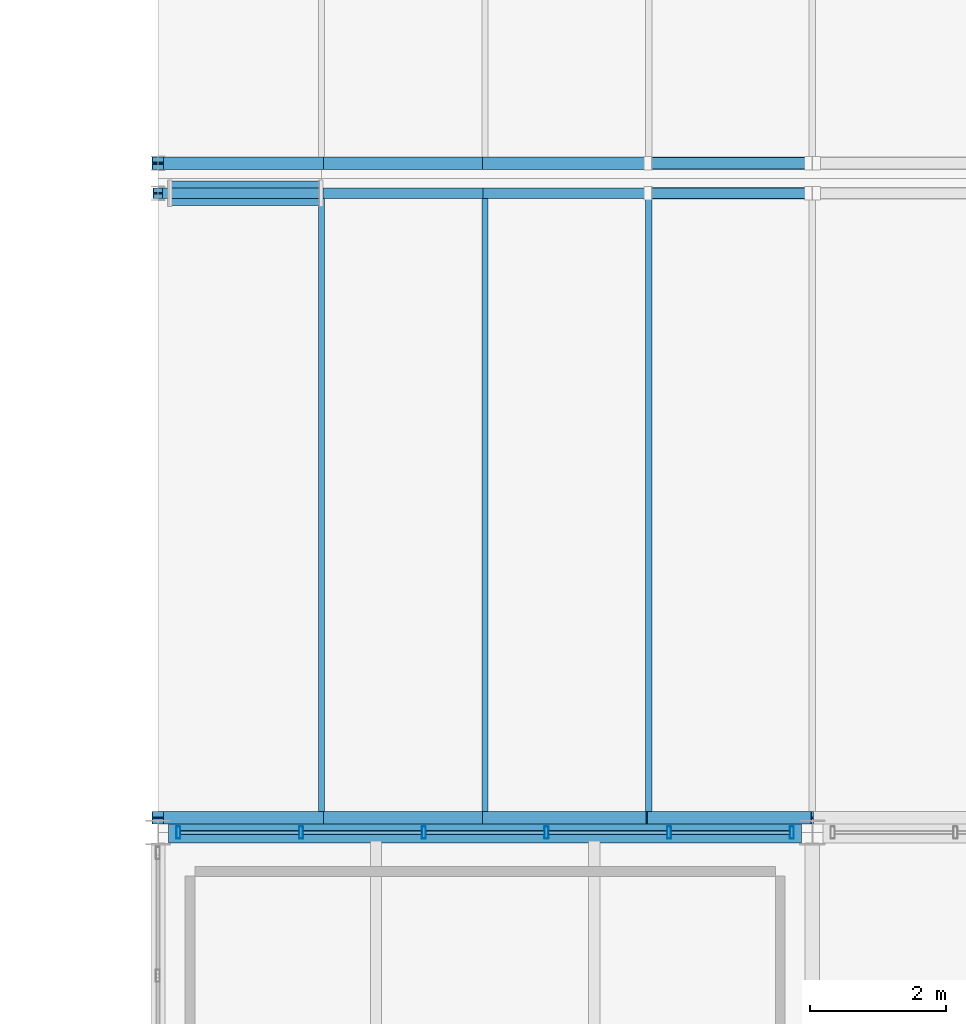
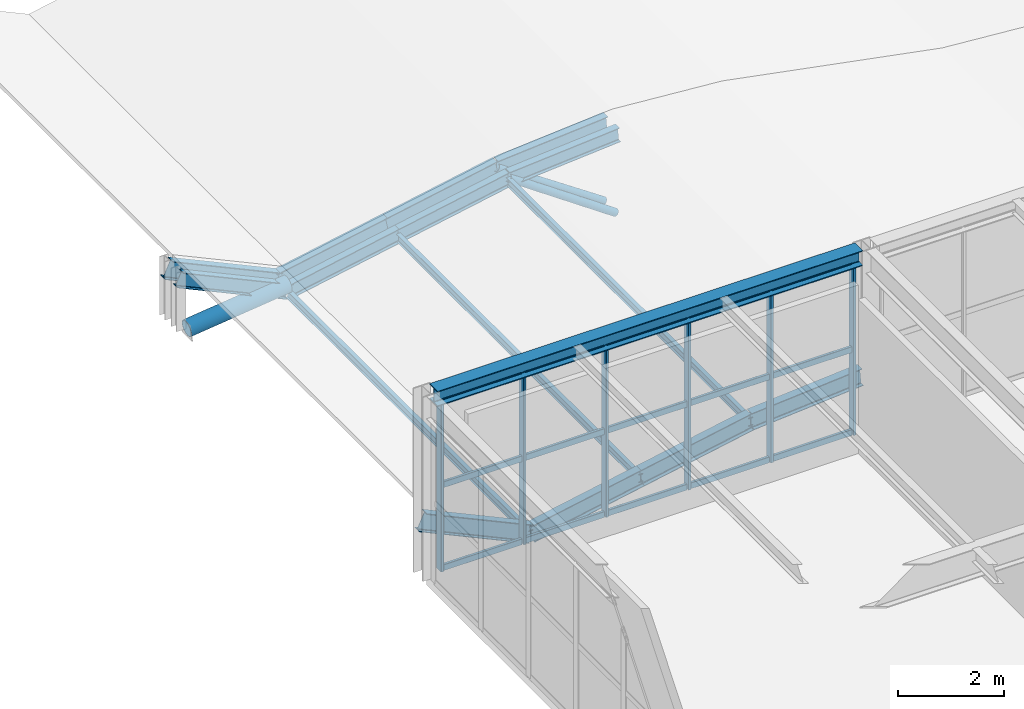
# One storey, part 89 of 170: 27 members, 13 beams, 1 element without a shape of its own.
"""IFC4 building model written with IfcOpenShell, lengths in metres."""

from ifc_helpers import new_model, si_unit, direction, frame, origin, origin_2d, place, context, subcontext, project, spatial, hollow_rectangle, hollow_circle, i_section, extrude, material, material_profile, profile_set, type_object, element, aggregate, save


model = new_model("IFC4")

# Units and contexts
model_context = context("Model", 3, precision=1e-05, world=origin(), true_north=direction((0.0, 1.0)))
body_context = subcontext(model_context, "Body", "Model", "MODEL_VIEW")
ifc_project = project(units=[si_unit("LENGTHUNIT", "METRE"), si_unit("AREAUNIT", "SQUARE_METRE"), si_unit("VOLUMEUNIT", "CUBIC_METRE"), si_unit("PLANEANGLEUNIT", "RADIAN"), si_unit("MASSUNIT", "GRAM", prefix="KILO")], contexts=[model_context])

# Site, building, storey
site_placement = place(None, origin())
site = spatial("IfcSite", under=ifc_project, at=site_placement, CompositionType="ELEMENT")
building_placement = place(site_placement, origin())
building = spatial("IfcBuilding", under=site, at=building_placement, Name="Coralgate Yard Interchange", CompositionType="ELEMENT")
storey_placement = place(building_placement, frame((0.0, 0.0, 6.0)))
storey = spatial("IfcBuildingStorey", under=building, at=storey_placement, Name="L01", CompositionType="ELEMENT", Elevation=6.0)

# Beams
ifc_material_1 = material(Name="Structural steel S355J2", Category="steel")
ifc_material_profile_1 = material_profile(ifc_material_1, i_section(OverallWidth=0.300048828125, OverallDepth=0.35009765625, WebThickness=0.010009765625, FlangeThickness=0.017578125, FilletRadius=0.027099609375, at=origin_2d()), Name="HEA 360")
ifc_profile_set_1 = profile_set([ifc_material_profile_1], Name="Structural steel S355J2")
beam_type_1 = type_object("IfcBeamType", Name="BM-SP-1", PredefinedType="SPANDREL", material=ifc_profile_set_1)
beam_1_placement = place(storey_placement, frame((38.556396484375, 96.0, 4.074951171875), z_axis=(1.0, 0.0, 0.0), x_axis=(0.0, 1.0, 0.0)))
element("IfcBeam", 1, at=beam_1_placement, inside=storey, type_object=beam_type_1, Name="L01 primary grid beam Y10 X4-5", PredefinedType="SPANDREL", context=body_context, shape_type="SweptSolid", body=[
    extrude(i_section(OverallWidth=0.300048828125, OverallDepth=0.35009765625, WebThickness=0.010009765625, FlangeThickness=0.017578125, FilletRadius=0.027099609375, at=origin_2d()), origin(), (0.0, 0.0, 1.0), 9.287353515625),
])
ifc_material_2 = material(Name="Off-white architectural structural steel S355J2", Category="steel")
ifc_material_profile_2 = material_profile(ifc_material_2, i_section(OverallWidth=0.179931640625, OverallDepth=0.39990234375, WebThickness=0.008544921875, FlangeThickness=0.013427734375, FilletRadius=0.02099609375, at=origin_2d()), Name="IPE 400")
ifc_profile_set_2 = profile_set([ifc_material_profile_2], Name="Off-white architectural structural steel S355J2")
beam_type_2 = type_object("IfcBeamType", Name="BM-WR-1", PredefinedType="BEAM", material=ifc_profile_set_2)
beam_2_placement = place(storey_placement, frame((38.39990234375, 96.219970703125, 1.10009765625), z_axis=(0.907691669013, 0.0, -0.419637741396), x_axis=(0.0, 1.0, 0.0)))
element("IfcBeam", 2, at=beam_2_placement, inside=storey, type_object=beam_type_2, Name="Wave-shell steel arch rib R1-W1-S1", PredefinedType="BEAM", context=body_context, shape_type="SweptSolid", body=[
    extrude(i_section(OverallWidth=0.179931640625, OverallDepth=0.39990234375, WebThickness=0.008544921875, FlangeThickness=0.013427734375, FilletRadius=0.02099609375, at=origin_2d()), origin(), (0.0, 0.0, 1.0), 2.644287109375),
])
beam_3_placement = place(storey_placement, frame((40.800048828125, 96.219970703125, -0.009521484375), z_axis=(0.98216147419, 0.0, 0.188039460267), x_axis=(0.0, 1.0, 0.0)))
element("IfcBeam", 3, at=beam_3_placement, inside=storey, type_object=beam_type_2, Name="Wave-shell steel arch rib R1-W1-S2", PredefinedType="BEAM", context=body_context, shape_type="SweptSolid", body=[
    extrude(i_section(OverallWidth=0.179931640625, OverallDepth=0.39990234375, WebThickness=0.008544921875, FlangeThickness=0.013427734375, FilletRadius=0.02099609375, at=origin_2d()), origin(), (0.0, 0.0, 1.0), 2.443603515625),
])
beam_4_placement = place(storey_placement, frame((43.199951171875, 96.219970703125, 0.449951171875), z_axis=(0.982146552954, 0.0, 0.188117379637), x_axis=(0.0, 1.0, 0.0)))
element("IfcBeam", 4, at=beam_4_placement, inside=storey, type_object=beam_type_2, Name="Wave-shell steel arch rib R1-W1-S3", PredefinedType="BEAM", context=body_context, shape_type="SweptSolid", body=[
    extrude(i_section(OverallWidth=0.179931640625, OverallDepth=0.39990234375, WebThickness=0.008544921875, FlangeThickness=0.013427734375, FilletRadius=0.02099609375, at=origin_2d()), origin(), (0.0, 0.0, 1.0), 2.44384765625),
])
beam_5_placement = place(storey_placement, frame((45.60009765625, 96.219970703125, 0.90966796875), z_axis=(0.996866661985, 0.0, 0.079100304817), x_axis=(0.0, 1.0, 0.0)))
element("IfcBeam", 5, at=beam_5_placement, inside=storey, type_object=beam_type_2, Name="Wave-shell steel arch rib R1-W1-S4", PredefinedType="BEAM", context=body_context, shape_type="SweptSolid", body=[
    extrude(i_section(OverallWidth=0.179931640625, OverallDepth=0.39990234375, WebThickness=0.008544921875, FlangeThickness=0.013427734375, FilletRadius=0.02099609375, at=origin_2d()), origin(), (0.0, 0.0, 1.0), 2.407470703125),
])
beam_6_placement = place(storey_placement, frame((38.39990234375, 105.820068359375, 1.10009765625), z_axis=(0.907691669013, 0.0, -0.419637741396), x_axis=(0.0, 1.0, 0.0)))
element("IfcBeam", 6, at=beam_6_placement, inside=storey, type_object=beam_type_2, Name="Wave-shell steel arch rib R2-W1-S1", PredefinedType="BEAM", context=body_context, shape_type="SweptSolid", body=[
    extrude(i_section(OverallWidth=0.179931640625, OverallDepth=0.39990234375, WebThickness=0.008544921875, FlangeThickness=0.013427734375, FilletRadius=0.02099609375, at=origin_2d()), origin(), (0.0, 0.0, 1.0), 2.644287109375),
])
beam_7_placement = place(storey_placement, frame((40.800048828125, 105.820068359375, -0.009521484375), z_axis=(0.98216147419, 0.0, 0.188039460267), x_axis=(0.0, 1.0, 0.0)))
element("IfcBeam", 7, at=beam_7_placement, inside=storey, type_object=beam_type_2, Name="Wave-shell steel arch rib R2-W1-S2", PredefinedType="BEAM", context=body_context, shape_type="SweptSolid", body=[
    extrude(i_section(OverallWidth=0.179931640625, OverallDepth=0.39990234375, WebThickness=0.008544921875, FlangeThickness=0.013427734375, FilletRadius=0.02099609375, at=origin_2d()), origin(), (0.0, 0.0, 1.0), 2.443603515625),
])
beam_8_placement = place(storey_placement, frame((43.199951171875, 105.820068359375, 0.449951171875), z_axis=(0.982146552954, 0.0, 0.188117379637), x_axis=(0.0, 1.0, 0.0)))
element("IfcBeam", 8, at=beam_8_placement, inside=storey, type_object=beam_type_2, Name="Wave-shell steel arch rib R2-W1-S3", PredefinedType="BEAM", context=body_context, shape_type="SweptSolid", body=[
    extrude(i_section(OverallWidth=0.179931640625, OverallDepth=0.39990234375, WebThickness=0.008544921875, FlangeThickness=0.013427734375, FilletRadius=0.02099609375, at=origin_2d()), origin(), (0.0, 0.0, 1.0), 2.44384765625),
])
beam_9_placement = place(storey_placement, frame((45.60009765625, 105.820068359375, 0.90966796875), z_axis=(0.996866661985, 0.0, 0.079100304817), x_axis=(0.0, 1.0, 0.0)))
element("IfcBeam", 9, at=beam_9_placement, inside=storey, type_object=beam_type_2, Name="Wave-shell steel arch rib R2-W1-S4", PredefinedType="BEAM", context=body_context, shape_type="SweptSolid", body=[
    extrude(i_section(OverallWidth=0.179931640625, OverallDepth=0.39990234375, WebThickness=0.008544921875, FlangeThickness=0.013427734375, FilletRadius=0.02099609375, at=origin_2d()), origin(), (0.0, 0.0, 1.0), 2.407470703125),
])
ifc_material_profile_3 = material_profile(ifc_material_2, i_section(OverallWidth=0.159912109375, OverallDepth=0.330078125, WebThickness=0.007568359375, FlangeThickness=0.011474609375, FilletRadius=0.01806640625, at=origin_2d()), Name="IPE 330")
ifc_profile_set_3 = profile_set([ifc_material_profile_3], Name="Off-white architectural structural steel S355J2")
beam_type_3 = type_object("IfcBeamType", Name="BM-WR-2", PredefinedType="BEAM", material=ifc_profile_set_3)
beam_10_placement = place(storey_placement, frame((38.39990234375, 105.3798828125, 1.135009765625), z_axis=(0.907691669013, 0.0, -0.419637741396), x_axis=(0.0, 1.0, 0.0)))
element("IfcBeam", 10, at=beam_10_placement, inside=storey, type_object=beam_type_3, Name="Wave-shell steel arch rib R1-W1-N1", PredefinedType="BEAM", context=body_context, shape_type="SweptSolid", body=[
    extrude(i_section(OverallWidth=0.159912109375, OverallDepth=0.330078125, WebThickness=0.007568359375, FlangeThickness=0.011474609375, FilletRadius=0.01806640625, at=origin_2d()), origin(), (0.0, 0.0, 1.0), 2.644287109375),
])
beam_11_placement = place(storey_placement, frame((40.800048828125, 105.3798828125, 0.025390625), z_axis=(0.98214301705, 0.0, 0.18813583938), x_axis=(0.0, 1.0, 0.0)))
element("IfcBeam", 11, at=beam_11_placement, inside=storey, type_object=beam_type_3, Name="Wave-shell steel arch rib R1-W1-N2", PredefinedType="BEAM", context=body_context, shape_type="SweptSolid", body=[
    extrude(i_section(OverallWidth=0.159912109375, OverallDepth=0.330078125, WebThickness=0.007568359375, FlangeThickness=0.011474609375, FilletRadius=0.01806640625, at=origin_2d()), origin(), (0.0, 0.0, 1.0), 2.443603515625),
])
beam_12_placement = place(storey_placement, frame((43.199951171875, 105.3798828125, 0.485107421875), z_axis=(0.982165006537, 0.0, 0.188021009287), x_axis=(0.0, 1.0, 0.0)))
element("IfcBeam", 12, at=beam_12_placement, inside=storey, type_object=beam_type_3, Name="Wave-shell steel arch rib R1-W1-N3", PredefinedType="BEAM", context=body_context, shape_type="SweptSolid", body=[
    extrude(i_section(OverallWidth=0.159912109375, OverallDepth=0.330078125, WebThickness=0.007568359375, FlangeThickness=0.011474609375, FilletRadius=0.01806640625, at=origin_2d()), origin(), (0.0, 0.0, 1.0), 2.44384765625),
])
beam_13_placement = place(storey_placement, frame((45.60009765625, 105.3798828125, 0.944580078125), z_axis=(0.996866661985, 0.0, 0.079100304817), x_axis=(0.0, 1.0, 0.0)))
element("IfcBeam", 13, at=beam_13_placement, inside=storey, type_object=beam_type_3, Name="Wave-shell steel arch rib R1-W1-N4", PredefinedType="BEAM", context=body_context, shape_type="SweptSolid", body=[
    extrude(i_section(OverallWidth=0.159912109375, OverallDepth=0.330078125, WebThickness=0.007568359375, FlangeThickness=0.011474609375, FilletRadius=0.01806640625, at=origin_2d()), origin(), (0.0, 0.0, 1.0), 2.407470703125),
])

# Members
ifc_material_3 = material(Name="Weather-coated structural steel S355J2", Category="steel")
ifc_material_profile_4 = material_profile(ifc_material_3, hollow_circle(Radius=0.177734375, WallThickness=0.012451171875, at=origin_2d()), Name="CHS 355.6x12.5")
ifc_profile_set_4 = profile_set([ifc_material_profile_4], Name="Weather-coated structural steel S355J2")
member_type_1 = type_object("IfcMemberType", Name="MB-GC-1", PredefinedType="CHORD", material=ifc_profile_set_4)
member_1_placement = place(storey_placement, frame((38.580078125, 105.3798828125, -0.080078125), z_axis=(0.993088023617, 0.0, 0.117371961508), x_axis=(0.0, 1.0, 0.0)))
element("IfcMember", 14, at=member_1_placement, inside=storey, type_object=member_type_1, Name="Wave-canopy longitudinal tie member 1", PredefinedType="CHORD", context=body_context, shape_type="SweptSolid", body=[
    extrude(hollow_circle(Radius=0.177734375, WallThickness=0.012451171875, at=origin_2d()), origin(), (0.0, 0.0, 1.0), 2.21533203125),
])
ifc_material_4 = material(Name="Yellow-ochre weather-coated structural steel S355J2", Category="steel")
ifc_material_profile_5 = material_profile(ifc_material_4, hollow_circle(Radius=0.084228515625, WallThickness=0.008056640625, at=origin_2d()), Name="CHS 168.3x8")
ifc_profile_set_5 = profile_set([ifc_material_profile_5], Name="Yellow-ochre weather-coated structural steel S355J2")
member_type_2 = type_object("IfcMemberType", Name="MB-HG-2", PredefinedType="STRUT", material=ifc_profile_set_5)
member_2_placement = place(storey_placement, frame((47.93994140625, 105.3798828125, -0.679931640625), z_axis=(-0.821432424161, 0.0, 0.570305858761), x_axis=(0.0, -1.0, 0.0)))
element("IfcMember", 15, at=member_2_placement, inside=storey, type_object=member_type_2, Name="Wave-shell inclined V-strut WVBR-R1-W1-N-L", PredefinedType="STRUT", context=body_context, shape_type="SweptSolid", body=[
    extrude(hollow_circle(Radius=0.084228515625, WallThickness=0.008056640625, at=origin_2d()), origin(), (0.0, 0.0, 1.0), 2.848388671875),
])
member_3_placement = place(storey_placement, frame((47.93994140625, 105.820068359375, -0.679931640625), z_axis=(-0.827172031576, 0.0, 0.561948778964), x_axis=(0.0, -1.0, 0.0)))
element("IfcMember", 16, at=member_3_placement, inside=storey, type_object=member_type_2, Name="Wave-shell inclined V-strut WVBR-R2-W1-S-L", PredefinedType="STRUT", context=body_context, shape_type="SweptSolid", body=[
    extrude(hollow_circle(Radius=0.084228515625, WallThickness=0.008056640625, at=origin_2d()), origin(), (0.0, 0.0, 1.0), 2.82861328125),
])

# Curtain wall, members
ifc_material_5 = material(Name="Anodised coastal aluminium and solar-control low-E glass", Category="aluminium")
curtain_wall_type = type_object("IfcCurtainWallType", Name="CW-CW-L01-B", PredefinedType="NOTDEFINED", material=ifc_material_5)
curtain_wall_placement = place(storey_placement, origin())
curtain_wall = element("IfcCurtainWall", 17, at=curtain_wall_placement, inside=storey, type_object=curtain_wall_type, Name="L01 unitised curtain wall CW-L01-N-04-09", PredefinedType="NOTDEFINED")
ifc_material_6 = material(Name="Anodised coastal aluminium 6063-T6", Category="aluminium")
ifc_material_profile_6 = material_profile(ifc_material_6, hollow_rectangle(XDim=0.06005859375, YDim=0.179931640625, WallThickness=0.00390625, InnerFilletRadius=0.00390625, OuterFilletRadius=0.008056640625, at=origin_2d()), Name="ALU 60x180x4")
ifc_profile_set_6 = profile_set([ifc_material_profile_6], Name="Anodised coastal aluminium 6063-T6")
member_type_3 = type_object("IfcMemberType", Name="MB-MUL-180", PredefinedType="MULLION", material=ifc_profile_set_6)
member_4_placement = place(storey_placement, frame((38.699951171875, 96.0, 0.0), z_axis=(0.0, 0.0, 1.0), x_axis=(1.0, 0.0, 0.0)))
member_4 = element("IfcMember", 18, at=member_4_placement, type_object=member_type_3, Name="CW-L01-N-04-09 vertical mullion 1", PredefinedType="MULLION", context=body_context, shape_type="SweptSolid", body=[
    extrude(hollow_rectangle(XDim=0.06005859375, YDim=0.179931640625, WallThickness=0.00390625, InnerFilletRadius=0.00390625, OuterFilletRadius=0.008056640625, at=origin_2d()), origin(), (0.0, 0.0, 1.0), 3.89990234375),
])
member_5_placement = place(storey_placement, frame((40.5, 96.0, 0.0), z_axis=(0.0, 0.0, 1.0), x_axis=(1.0, 0.0, 0.0)))
member_5 = element("IfcMember", 19, at=member_5_placement, type_object=member_type_3, Name="CW-L01-N-04-09 vertical mullion 2", PredefinedType="MULLION", context=body_context, shape_type="SweptSolid", body=[
    extrude(hollow_rectangle(XDim=0.06005859375, YDim=0.179931640625, WallThickness=0.00390625, InnerFilletRadius=0.00390625, OuterFilletRadius=0.008056640625, at=origin_2d()), origin(), (0.0, 0.0, 1.0), 3.89990234375),
])
member_6_placement = place(storey_placement, frame((42.300048828125, 96.0, 0.0), z_axis=(0.0, 0.0, 1.0), x_axis=(1.0, 0.0, 0.0)))
member_6 = element("IfcMember", 20, at=member_6_placement, type_object=member_type_3, Name="CW-L01-N-04-09 vertical mullion 3", PredefinedType="MULLION", context=body_context, shape_type="SweptSolid", body=[
    extrude(hollow_rectangle(XDim=0.06005859375, YDim=0.179931640625, WallThickness=0.00390625, InnerFilletRadius=0.00390625, OuterFilletRadius=0.008056640625, at=origin_2d()), origin(), (0.0, 0.0, 1.0), 3.89990234375),
])
member_7_placement = place(storey_placement, frame((44.10009765625, 96.0, 0.0), z_axis=(0.0, 0.0, 1.0), x_axis=(1.0, 0.0, 0.0)))
member_7 = element("IfcMember", 21, at=member_7_placement, type_object=member_type_3, Name="CW-L01-N-04-09 vertical mullion 4", PredefinedType="MULLION", context=body_context, shape_type="SweptSolid", body=[
    extrude(hollow_rectangle(XDim=0.06005859375, YDim=0.179931640625, WallThickness=0.00390625, InnerFilletRadius=0.00390625, OuterFilletRadius=0.008056640625, at=origin_2d()), origin(), (0.0, 0.0, 1.0), 3.89990234375),
])
member_8_placement = place(storey_placement, frame((45.89990234375, 96.0, 0.0), z_axis=(0.0, 0.0, 1.0), x_axis=(1.0, 0.0, 0.0)))
member_8 = element("IfcMember", 22, at=member_8_placement, type_object=member_type_3, Name="CW-L01-N-04-09 vertical mullion 5", PredefinedType="MULLION", context=body_context, shape_type="SweptSolid", body=[
    extrude(hollow_rectangle(XDim=0.06005859375, YDim=0.179931640625, WallThickness=0.00390625, InnerFilletRadius=0.00390625, OuterFilletRadius=0.008056640625, at=origin_2d()), origin(), (0.0, 0.0, 1.0), 3.89990234375),
])
member_9_placement = place(storey_placement, frame((47.699951171875, 96.0, 0.0), z_axis=(0.0, 0.0, 1.0), x_axis=(1.0, 0.0, 0.0)))
member_9 = element("IfcMember", 23, at=member_9_placement, type_object=member_type_3, Name="CW-L01-N-04-09 vertical mullion 6", PredefinedType="MULLION", context=body_context, shape_type="SweptSolid", body=[
    extrude(hollow_rectangle(XDim=0.06005859375, YDim=0.179931640625, WallThickness=0.00390625, InnerFilletRadius=0.00390625, OuterFilletRadius=0.008056640625, at=origin_2d()), origin(), (0.0, 0.0, 1.0), 3.89990234375),
])

# Members
ifc_material_profile_7 = material_profile(ifc_material_2, i_section(OverallWidth=0.091064453125, OverallDepth=0.179931640625, WebThickness=0.00537109375, FlangeThickness=0.008056640625, FilletRadius=0.009033203125, at=origin_2d()), Name="IPE 180")
ifc_profile_set_7 = profile_set([ifc_material_profile_7], Name="Off-white architectural structural steel S355J2")
member_type_4 = type_object("IfcMemberType", Name="MB-PR-2", PredefinedType="PURLIN", material=ifc_profile_set_7)
for number, where, z_axis, x_axis, name in (
    (24, (40.800048828125, 96.199951171875, -0.049560546875), (0.0, 1.0, 0.0), (-1.0, 0.0, 0.0), "Wave-shell purlin R1-W1-2"),
    (25, (43.199951171875, 96.199951171875, 0.409912109375), (0.0, 1.0, 0.0), (-1.0, 0.0, 0.0), "Wave-shell purlin R1-W1-3"),
    (26, (45.60009765625, 96.199951171875, 0.86962890625), (0.0, 1.0, 0.0), (-1.0, 0.0, 0.0), "Wave-shell purlin R1-W1-4"),
):
    element("IfcMember", number, at=place(storey_placement, frame(where, z_axis=z_axis, x_axis=x_axis)), inside=storey, type_object=member_type_4, Name=name, PredefinedType="PURLIN", context=body_context, shape_type="SweptSolid", body=[
        extrude(i_section(OverallWidth=0.091064453125, OverallDepth=0.179931640625, WebThickness=0.00537109375, FlangeThickness=0.008056640625, FilletRadius=0.009033203125, at=origin_2d()), origin(), (0.0, 0.0, 1.0), 9.199951171875),
    ])

# Member
ifc_material_profile_8 = material_profile(ifc_material_6, hollow_rectangle(XDim=0.06005859375, YDim=0.139892578125, WallThickness=0.00341796875, InnerFilletRadius=0.00341796875, OuterFilletRadius=0.007080078125, at=origin_2d()), Name="ALU 60x140x3.5")
ifc_profile_set_8 = profile_set([ifc_material_profile_8], Name="Anodised coastal aluminium 6063-T6")
member_type_5 = type_object("IfcMemberType", Name="MB-TRN-140", PredefinedType="USERDEFINED", material=ifc_profile_set_8)
member_10_placement = place(storey_placement, frame((38.72998046875, 96.0, 0.034912109375), z_axis=(1.0, 0.0, 0.0), x_axis=(0.0, 1.0, 0.0)))
member_10 = element("IfcMember", 27, at=member_10_placement, type_object=member_type_5, Name="CW-L01-N-04-09 horizontal transom 1-1", ObjectType="TRANSOM", PredefinedType="USERDEFINED", context=body_context, shape_type="SweptSolid", body=[
    extrude(hollow_rectangle(XDim=0.06005859375, YDim=0.139892578125, WallThickness=0.00341796875, InnerFilletRadius=0.00341796875, OuterFilletRadius=0.007080078125, at=origin_2d()), origin(), (0.0, 0.0, 1.0), 1.739990234375),
])

member_11_placement = place(storey_placement, frame((38.72998046875, 96.0, 1.949951171875), z_axis=(1.0, 0.0, 0.0), x_axis=(0.0, 1.0, 0.0)))
member_11 = element("IfcMember", 28, at=member_11_placement, type_object=member_type_5, Name="CW-L01-N-04-09 horizontal transom 1-2", ObjectType="TRANSOM", PredefinedType="USERDEFINED", context=body_context, shape_type="SweptSolid", body=[
    extrude(hollow_rectangle(XDim=0.06005859375, YDim=0.139892578125, WallThickness=0.00341796875, InnerFilletRadius=0.00341796875, OuterFilletRadius=0.007080078125, at=origin_2d()), origin(), (0.0, 0.0, 1.0), 1.739990234375),
])

member_12_placement = place(storey_placement, frame((38.72998046875, 96.0, 3.864990234375), z_axis=(1.0, 0.0, 0.0), x_axis=(0.0, 1.0, 0.0)))
member_12 = element("IfcMember", 29, at=member_12_placement, type_object=member_type_5, Name="CW-L01-N-04-09 horizontal transom 1-3", ObjectType="TRANSOM", PredefinedType="USERDEFINED", context=body_context, shape_type="SweptSolid", body=[
    extrude(hollow_rectangle(XDim=0.06005859375, YDim=0.139892578125, WallThickness=0.00341796875, InnerFilletRadius=0.00341796875, OuterFilletRadius=0.007080078125, at=origin_2d()), origin(), (0.0, 0.0, 1.0), 1.739990234375),
])

member_13_placement = place(storey_placement, frame((40.530029296875, 96.0, 0.034912109375), z_axis=(1.0, 0.0, 0.0), x_axis=(0.0, 1.0, 0.0)))
member_13 = element("IfcMember", 30, at=member_13_placement, type_object=member_type_5, Name="CW-L01-N-04-09 horizontal transom 2-1", ObjectType="TRANSOM", PredefinedType="USERDEFINED", context=body_context, shape_type="SweptSolid", body=[
    extrude(hollow_rectangle(XDim=0.06005859375, YDim=0.139892578125, WallThickness=0.00341796875, InnerFilletRadius=0.00341796875, OuterFilletRadius=0.007080078125, at=origin_2d()), origin(), (0.0, 0.0, 1.0), 1.739990234375),
])

member_14_placement = place(storey_placement, frame((40.530029296875, 96.0, 1.949951171875), z_axis=(1.0, 0.0, 0.0), x_axis=(0.0, 1.0, 0.0)))
member_14 = element("IfcMember", 31, at=member_14_placement, type_object=member_type_5, Name="CW-L01-N-04-09 horizontal transom 2-2", ObjectType="TRANSOM", PredefinedType="USERDEFINED", context=body_context, shape_type="SweptSolid", body=[
    extrude(hollow_rectangle(XDim=0.06005859375, YDim=0.139892578125, WallThickness=0.00341796875, InnerFilletRadius=0.00341796875, OuterFilletRadius=0.007080078125, at=origin_2d()), origin(), (0.0, 0.0, 1.0), 1.739990234375),
])

member_15_placement = place(storey_placement, frame((40.530029296875, 96.0, 3.864990234375), z_axis=(1.0, 0.0, 0.0), x_axis=(0.0, 1.0, 0.0)))
member_15 = element("IfcMember", 32, at=member_15_placement, type_object=member_type_5, Name="CW-L01-N-04-09 horizontal transom 2-3", ObjectType="TRANSOM", PredefinedType="USERDEFINED", context=body_context, shape_type="SweptSolid", body=[
    extrude(hollow_rectangle(XDim=0.06005859375, YDim=0.139892578125, WallThickness=0.00341796875, InnerFilletRadius=0.00341796875, OuterFilletRadius=0.007080078125, at=origin_2d()), origin(), (0.0, 0.0, 1.0), 1.739990234375),
])

member_16_placement = place(storey_placement, frame((42.330078125, 96.0, 0.034912109375), z_axis=(1.0, 0.0, 0.0), x_axis=(0.0, 1.0, 0.0)))
member_16 = element("IfcMember", 33, at=member_16_placement, type_object=member_type_5, Name="CW-L01-N-04-09 horizontal transom 3-1", ObjectType="TRANSOM", PredefinedType="USERDEFINED", context=body_context, shape_type="SweptSolid", body=[
    extrude(hollow_rectangle(XDim=0.06005859375, YDim=0.139892578125, WallThickness=0.00341796875, InnerFilletRadius=0.00341796875, OuterFilletRadius=0.007080078125, at=origin_2d()), origin(), (0.0, 0.0, 1.0), 1.739990234375),
])

member_17_placement = place(storey_placement, frame((42.330078125, 96.0, 1.949951171875), z_axis=(1.0, 0.0, 0.0), x_axis=(0.0, 1.0, 0.0)))
member_17 = element("IfcMember", 34, at=member_17_placement, type_object=member_type_5, Name="CW-L01-N-04-09 horizontal transom 3-2", ObjectType="TRANSOM", PredefinedType="USERDEFINED", context=body_context, shape_type="SweptSolid", body=[
    extrude(hollow_rectangle(XDim=0.06005859375, YDim=0.139892578125, WallThickness=0.00341796875, InnerFilletRadius=0.00341796875, OuterFilletRadius=0.007080078125, at=origin_2d()), origin(), (0.0, 0.0, 1.0), 1.739990234375),
])

member_18_placement = place(storey_placement, frame((42.330078125, 96.0, 3.864990234375), z_axis=(1.0, 0.0, 0.0), x_axis=(0.0, 1.0, 0.0)))
member_18 = element("IfcMember", 35, at=member_18_placement, type_object=member_type_5, Name="CW-L01-N-04-09 horizontal transom 3-3", ObjectType="TRANSOM", PredefinedType="USERDEFINED", context=body_context, shape_type="SweptSolid", body=[
    extrude(hollow_rectangle(XDim=0.06005859375, YDim=0.139892578125, WallThickness=0.00341796875, InnerFilletRadius=0.00341796875, OuterFilletRadius=0.007080078125, at=origin_2d()), origin(), (0.0, 0.0, 1.0), 1.739990234375),
])

member_19_placement = place(storey_placement, frame((44.1298828125, 96.0, 0.034912109375), z_axis=(1.0, 0.0, 0.0), x_axis=(0.0, 1.0, 0.0)))
member_19 = element("IfcMember", 36, at=member_19_placement, type_object=member_type_5, Name="CW-L01-N-04-09 horizontal transom 4-1", ObjectType="TRANSOM", PredefinedType="USERDEFINED", context=body_context, shape_type="SweptSolid", body=[
    extrude(hollow_rectangle(XDim=0.06005859375, YDim=0.139892578125, WallThickness=0.00341796875, InnerFilletRadius=0.00341796875, OuterFilletRadius=0.007080078125, at=origin_2d()), origin(), (0.0, 0.0, 1.0), 1.740234375),
])

member_20_placement = place(storey_placement, frame((44.1298828125, 96.0, 1.949951171875), z_axis=(1.0, 0.0, 0.0), x_axis=(0.0, 1.0, 0.0)))
member_20 = element("IfcMember", 37, at=member_20_placement, type_object=member_type_5, Name="CW-L01-N-04-09 horizontal transom 4-2", ObjectType="TRANSOM", PredefinedType="USERDEFINED", context=body_context, shape_type="SweptSolid", body=[
    extrude(hollow_rectangle(XDim=0.06005859375, YDim=0.139892578125, WallThickness=0.00341796875, InnerFilletRadius=0.00341796875, OuterFilletRadius=0.007080078125, at=origin_2d()), origin(), (0.0, 0.0, 1.0), 1.740234375),
])

member_21_placement = place(storey_placement, frame((44.1298828125, 96.0, 3.864990234375), z_axis=(1.0, 0.0, 0.0), x_axis=(0.0, 1.0, 0.0)))
member_21 = element("IfcMember", 38, at=member_21_placement, type_object=member_type_5, Name="CW-L01-N-04-09 horizontal transom 4-3", ObjectType="TRANSOM", PredefinedType="USERDEFINED", context=body_context, shape_type="SweptSolid", body=[
    extrude(hollow_rectangle(XDim=0.06005859375, YDim=0.139892578125, WallThickness=0.00341796875, InnerFilletRadius=0.00341796875, OuterFilletRadius=0.007080078125, at=origin_2d()), origin(), (0.0, 0.0, 1.0), 1.740234375),
])

member_22_placement = place(storey_placement, frame((45.929931640625, 96.0, 0.034912109375), z_axis=(1.0, 0.0, 0.0), x_axis=(0.0, 1.0, 0.0)))
member_22 = element("IfcMember", 39, at=member_22_placement, type_object=member_type_5, Name="CW-L01-N-04-09 horizontal transom 5-1", ObjectType="TRANSOM", PredefinedType="USERDEFINED", context=body_context, shape_type="SweptSolid", body=[
    extrude(hollow_rectangle(XDim=0.06005859375, YDim=0.139892578125, WallThickness=0.00341796875, InnerFilletRadius=0.00341796875, OuterFilletRadius=0.007080078125, at=origin_2d()), origin(), (0.0, 0.0, 1.0), 1.739990234375),
])

member_23_placement = place(storey_placement, frame((45.929931640625, 96.0, 1.949951171875), z_axis=(1.0, 0.0, 0.0), x_axis=(0.0, 1.0, 0.0)))
member_23 = element("IfcMember", 40, at=member_23_placement, type_object=member_type_5, Name="CW-L01-N-04-09 horizontal transom 5-2", ObjectType="TRANSOM", PredefinedType="USERDEFINED", context=body_context, shape_type="SweptSolid", body=[
    extrude(hollow_rectangle(XDim=0.06005859375, YDim=0.139892578125, WallThickness=0.00341796875, InnerFilletRadius=0.00341796875, OuterFilletRadius=0.007080078125, at=origin_2d()), origin(), (0.0, 0.0, 1.0), 1.739990234375),
])

member_24_placement = place(storey_placement, frame((45.929931640625, 96.0, 3.864990234375), z_axis=(1.0, 0.0, 0.0), x_axis=(0.0, 1.0, 0.0)))
member_24 = element("IfcMember", 41, at=member_24_placement, type_object=member_type_5, Name="CW-L01-N-04-09 horizontal transom 5-3", ObjectType="TRANSOM", PredefinedType="USERDEFINED", context=body_context, shape_type="SweptSolid", body=[
    extrude(hollow_rectangle(XDim=0.06005859375, YDim=0.139892578125, WallThickness=0.00341796875, InnerFilletRadius=0.00341796875, OuterFilletRadius=0.007080078125, at=origin_2d()), origin(), (0.0, 0.0, 1.0), 1.739990234375),
])

aggregate(curtain_wall, [member_4, member_5, member_6, member_7, member_8, member_9, member_10, member_11, member_12, member_13, member_14, member_15, member_16, member_17, member_18, member_19, member_20, member_21, member_22, member_23, member_24])

save(model, "model.ifc")
